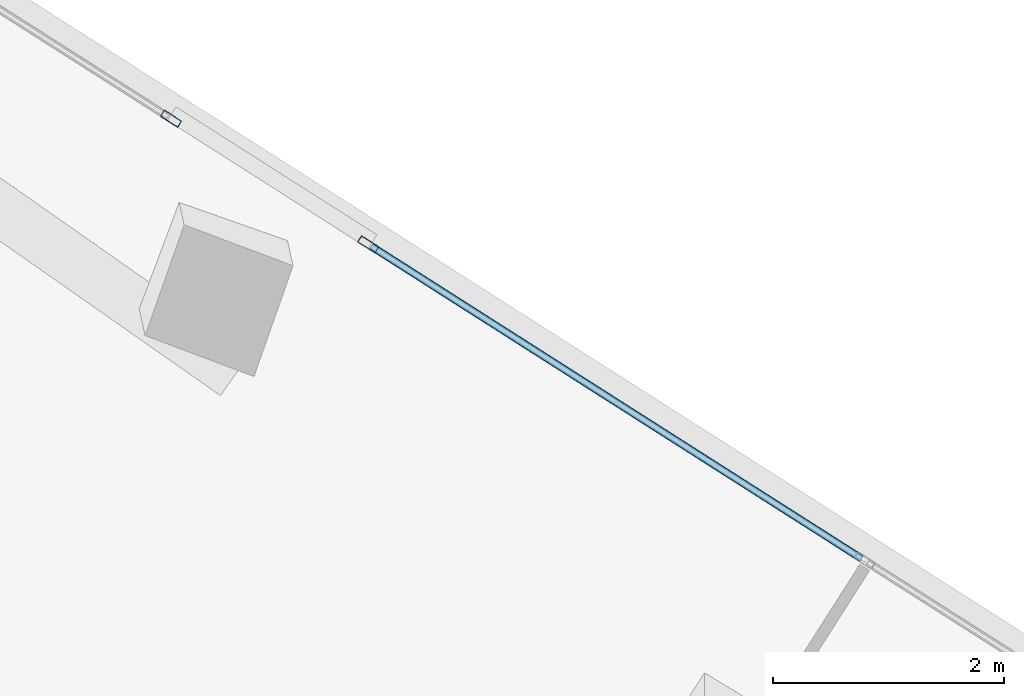
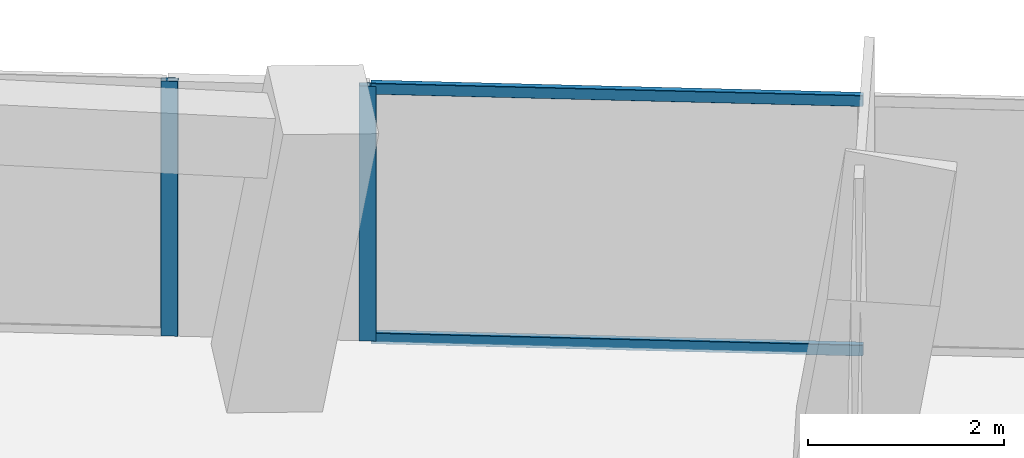
# One storey, part 10 of 24: 4 members, 2 elements without a shape of their own.
"""IFC4 building model written with IfcOpenShell, lengths in metres."""

from ifc_helpers import new_model, si_unit, direction, frame, origin, origin_2d, place, context, subcontext, project, spatial, hollow_rectangle, extrude, source, transform, mapped, material, material_profile, profile_set, type_object, element, aggregate, save


model = new_model("IFC4")

# Units and contexts
model_context = context("Model", 3, precision=1e-05, world=origin(), true_north=direction((0.0, 1.0)))
body_context = subcontext(model_context, "Body", "Model", "MODEL_VIEW")
ifc_project = project(units=[si_unit("LENGTHUNIT", "METRE"), si_unit("AREAUNIT", "SQUARE_METRE"), si_unit("VOLUMEUNIT", "CUBIC_METRE"), si_unit("PLANEANGLEUNIT", "RADIAN"), si_unit("MASSUNIT", "GRAM", prefix="KILO")], contexts=[model_context])

# Site, building, storey
site_placement = place(None, origin())
site = spatial("IfcSite", under=ifc_project, at=site_placement, CompositionType="ELEMENT")
building_placement = place(site_placement, origin())
building = spatial("IfcBuilding", under=site, at=building_placement, Name="Torre Montelarca", CompositionType="ELEMENT")
storey_placement = place(building_placement, frame((0.0, 0.0, 191.800048828125)))
storey = spatial("IfcBuildingStorey", under=building, at=storey_placement, Name="L43", CompositionType="ELEMENT", Elevation=191.800048828125)

# Curtain wall, member
ifc_material_1 = material(Name="Insulated low-E laminated glass", Category="glass")
curtain_wall_type = type_object("IfcCurtainWallType", Name="CW-SYS-Z2", PredefinedType="USERDEFINED", material=ifc_material_1)
curtain_wall_1_placement = place(storey_placement, origin())
curtain_wall_1 = element("IfcCurtainWall", 1, at=curtain_wall_1_placement, inside=storey, type_object=curtain_wall_type, Name="L43 Curtain Wall Run CW-T3-L43-E08-B1", ObjectType="UNITISED GLAZING", PredefinedType="USERDEFINED")
ifc_material_2 = material(Name="Anodised aluminium AA 6063-T6", Category="aluminium")
ifc_material_profile_1 = material_profile(ifc_material_2, hollow_rectangle(XDim=0.06494140625, YDim=0.179931640625, WallThickness=0.00390625, InnerFilletRadius=0.00390625, OuterFilletRadius=0.008056640625, at=origin_2d()), Name="ALU65X180X4", Category="aluminium")
ifc_profile_set_1 = profile_set([ifc_material_profile_1], Name="Anodised aluminium AA 6063-T6")
member_type_1 = type_object("IfcMemberType", Name="CWM-ALU180", PredefinedType="MULLION", material=ifc_profile_set_1)
shared_shape_1 = source(origin(), body_context, "Body", "SweptSolid", [
    extrude(hollow_rectangle(XDim=0.06494140625, YDim=0.179931640625, WallThickness=0.00390625, InnerFilletRadius=0.00390625, OuterFilletRadius=0.008056640625, at=origin_2d()), origin(), (0.0, 0.0, 1.0), 3.175048828125),
])
member_1_placement = place(storey_placement, frame((43.217529296875, 37.218505859375, 0.0), z_axis=(0.0, 0.0, 1.0), x_axis=(-0.537301360815, -0.843390329365, 0.0)))
member_1 = element("IfcMember", 2, at=member_1_placement, type_object=member_type_1, Name="CW mullion 3", PredefinedType="MULLION", context=body_context, shape_type="MappedRepresentation", body=[
    mapped(shared_shape_1, transform((0.0, 0.0, 0.0), scale=1.0)),
])

curtain_wall_2_placement = place(storey_placement, origin())
curtain_wall_2 = element("IfcCurtainWall", 3, at=curtain_wall_2_placement, inside=storey, type_object=curtain_wall_type, Name="L43 Curtain Wall Run CW-T3-L43-E08-B2", ObjectType="UNITISED GLAZING", PredefinedType="USERDEFINED")
member_2_placement = place(storey_placement, frame((41.509765625, 38.306396484375, 0.0), z_axis=(0.0, 0.0, 1.0), x_axis=(-0.537299136145, -0.843391746638, 0.0)))
member_2 = element("IfcMember", 4, at=member_2_placement, type_object=member_type_1, Name="CW mullion 1", PredefinedType="MULLION", context=body_context, shape_type="MappedRepresentation", body=[
    mapped(shared_shape_1, transform((0.0, 0.0, 0.0), scale=1.0)),
])
aggregate(curtain_wall_2, [member_2])

# Member
ifc_material_profile_2 = material_profile(ifc_material_2, hollow_rectangle(XDim=0.06494140625, YDim=0.139892578125, WallThickness=0.00390625, InnerFilletRadius=0.00390625, OuterFilletRadius=0.008056640625, at=origin_2d()), Name="ALU65X140X4", Category="aluminium")
ifc_profile_set_2 = profile_set([ifc_material_profile_2], Name="Anodised aluminium AA 6063-T6")
member_type_2 = type_object("IfcMemberType", Name="CWT-ALU140", PredefinedType="USERDEFINED", material=ifc_profile_set_2)
shared_shape_2 = source(origin(), body_context, "Body", "SweptSolid", [
    extrude(hollow_rectangle(XDim=0.06494140625, YDim=0.139892578125, WallThickness=0.00390625, InnerFilletRadius=0.00390625, OuterFilletRadius=0.008056640625, at=origin_2d()), origin(), (0.0, 0.0, 1.0), 5.029541015625),
])
member_3_placement = place(storey_placement, frame((47.48681640625, 34.49853515625, 0.032470703125), z_axis=(-0.843393552653, 0.537296301256, 0.0), x_axis=(-0.537296301256, -0.843393552653, 0.0)))
member_3 = element("IfcMember", 5, at=member_3_placement, type_object=member_type_2, Name="CW transom 2.1", ObjectType="TRANSOM", PredefinedType="USERDEFINED", context=body_context, shape_type="MappedRepresentation", body=[
    mapped(shared_shape_2, transform((0.0, 0.0, 0.0), scale=1.0)),
])

member_4_placement = place(storey_placement, frame((47.48681640625, 34.49853515625, 3.142333984375), z_axis=(-0.843393552653, 0.537296301256, 0.0), x_axis=(-0.537296301256, -0.843393552653, 0.0)))
member_4 = element("IfcMember", 6, at=member_4_placement, type_object=member_type_2, Name="CW transom 2.2", ObjectType="TRANSOM", PredefinedType="USERDEFINED", context=body_context, shape_type="MappedRepresentation", body=[
    mapped(shared_shape_2, transform((0.0, 0.0, 0.0), scale=1.0)),
])

aggregate(curtain_wall_1, [member_1, member_3, member_4])

save(model, "model.ifc")
